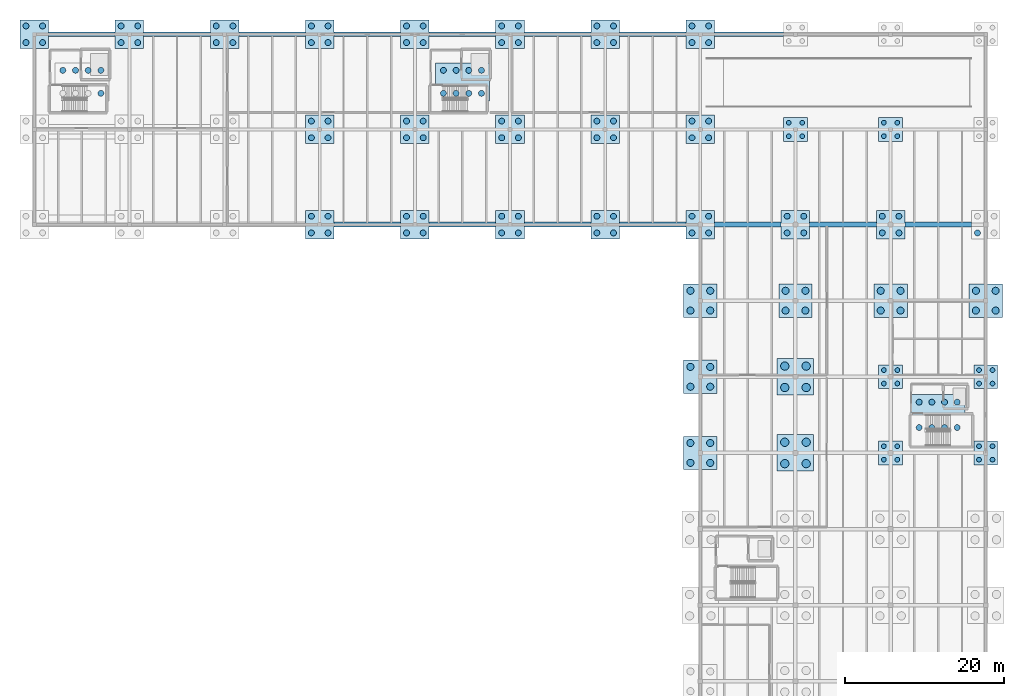
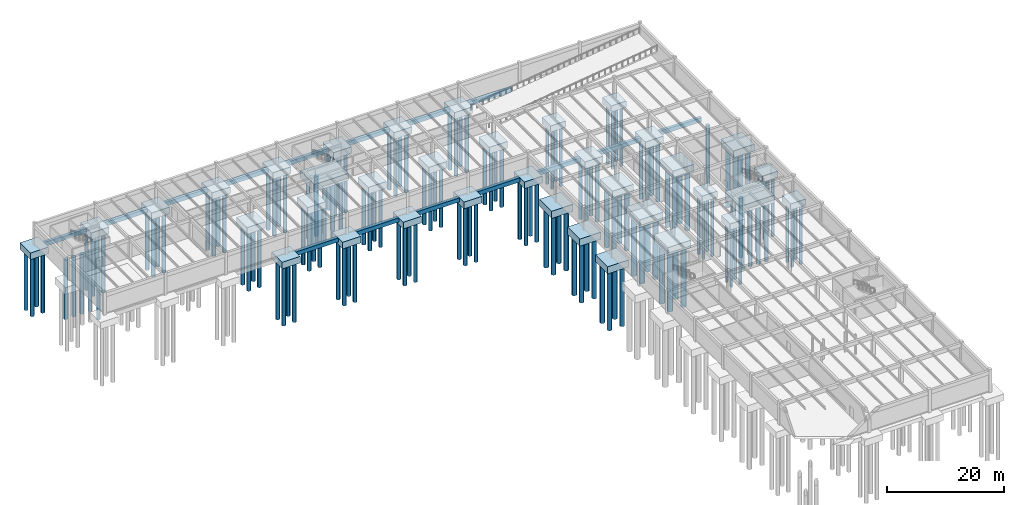
# One storey, part 2 of 20: 158 piles, 51 footings.
"""IFC4 building model written with IfcOpenShell, lengths in metres."""

from ifc_helpers import new_model, si_unit, direction, frame, origin, origin_2d, place, context, subcontext, project, spatial, rectangle, circle, extrude, material, material_profile, profile_set, type_object, element, save


model = new_model("IFC4")

# Units and contexts
model_context = context("Model", 3, precision=1e-05, world=origin(), true_north=direction((0.0, 1.0)))
body_context = subcontext(model_context, "Body", "Model", "MODEL_VIEW")
ifc_project = project(units=[si_unit("LENGTHUNIT", "METRE"), si_unit("AREAUNIT", "SQUARE_METRE"), si_unit("VOLUMEUNIT", "CUBIC_METRE"), si_unit("PLANEANGLEUNIT", "RADIAN"), si_unit("MASSUNIT", "GRAM", prefix="KILO")], contexts=[model_context])

# Site, building, storey
site_placement = place(None, origin())
site = spatial("IfcSite", under=ifc_project, at=site_placement, CompositionType="ELEMENT")
building_placement = place(site_placement, origin())
building = spatial("IfcBuilding", under=site, at=building_placement, Name="Pandanus Reach Market Hall", CompositionType="ELEMENT")
storey_placement = place(building_placement, frame((0.0, 0.0, -4.5)))
storey = spatial("IfcBuildingStorey", under=building, at=storey_placement, Name="B1", CompositionType="ELEMENT", Elevation=-4.5)

# Footings
ifc_material = material(Name="Concrete N40 (40 MPa)", Category="concrete")
footing_type_1 = type_object("IfcFootingType", Name="FB-02", PredefinedType="FOOTING_BEAM", material=ifc_material)
for number, where, z_axis, x_axis, name in (
    (1, (102.0, 96.0, -1.199951171875), (0.0, 0.0, 1.0), (1.0, 0.0, 0.0), "Ground tie beam FB-02 4"),
    (2, (114.0, 96.0, -1.199951171875), (0.0, 0.0, 1.0), (1.0, 0.0, 0.0), "Ground tie beam FB-02 5"),
    (3, (126.0, 96.0, -1.199951171875), (0.0, 0.0, 1.0), (1.0, 0.0, 0.0), "Ground tie beam FB-02 6"),
    (4, (138.0, 96.0, -1.199951171875), (0.0, 0.0, 1.0), (1.0, 0.0, 0.0), "Ground tie beam FB-02 7"),
    (5, (150.0, 96.0, -1.199951171875), (0.0, 0.0, 1.0), (1.0, 0.0, 0.0), "Ground tie beam FB-02 8"),
    (6, (162.0, 96.0, -1.199951171875), (0.0, 0.0, 1.0), (1.0, 0.0, 0.0), "Ground tie beam FB-02 9"),
    (7, (174.0, 96.0, -1.199951171875), (0.0, 0.0, 1.0), (1.0, 0.0, 0.0), "Ground tie beam FB-02 10"),
    (8, (66.0, 120.0, -1.199951171875), (0.0, 0.0, 1.0), (1.0, 0.0, 0.0), "Ground tie beam FB-02 11"),
    (9, (78.0, 120.0, -1.199951171875), (0.0, 0.0, 1.0), (1.0, 0.0, 0.0), "Ground tie beam FB-02 12"),
    (10, (90.0, 120.0, -1.199951171875), (0.0, 0.0, 1.0), (1.0, 0.0, 0.0), "Ground tie beam FB-02 13"),
    (11, (102.0, 120.0, -1.199951171875), (0.0, 0.0, 1.0), (1.0, 0.0, 0.0), "Ground tie beam FB-02 14"),
    (12, (114.0, 120.0, -1.199951171875), (0.0, 0.0, 1.0), (1.0, 0.0, 0.0), "Ground tie beam FB-02 15"),
    (13, (126.0, 120.0, -1.199951171875), (0.0, 0.0, 1.0), (1.0, 0.0, 0.0), "Ground tie beam FB-02 16"),
    (14, (138.0, 120.0, -1.199951171875), (0.0, 0.0, 1.0), (1.0, 0.0, 0.0), "Ground tie beam FB-02 17"),
):
    element("IfcFooting", number, at=place(storey_placement, frame(where, z_axis=z_axis, x_axis=x_axis)), inside=storey, type_object=footing_type_1, Name=name, PredefinedType="FOOTING_BEAM", context=body_context, shape_type="SweptSolid", body=[
        extrude(rectangle(XDim=8.39990234375, YDim=0.60009765625, at=origin_2d()), origin(), (0.0, 0.0, 1.0), 0.85009765625),
    ])
footing_1_placement = place(storey_placement, frame((150.14990234375, 120.0, -1.199951171875), z_axis=(0.0, 0.0, 1.0), x_axis=(1.0, 0.0, 0.0)))
element("IfcFooting", 15, at=footing_1_placement, inside=storey, type_object=footing_type_1, Name="Ground tie beam FB-02 18", PredefinedType="FOOTING_BEAM", context=body_context, shape_type="SweptSolid", body=[
    extrude(rectangle(XDim=8.699951171875, YDim=0.60009765625, at=origin_2d()), origin(), (0.0, 0.0, 1.0), 0.85009765625),
])
footing_type_2 = type_object("IfcFootingType", Name="PC-01", PredefinedType="PILE_CAP", material=ifc_material)
for number, where, z_axis, x_axis, name in (
    (16, (168.0, 67.199951171875, -1.64990234375), (0.0, 0.0, 1.0), (1.0, 0.0, 0.0), "Pile cap PC-01 at V4-168-672"),
    (17, (168.0, 76.800048828125, -1.64990234375), (0.0, 0.0, 1.0), (1.0, 0.0, 0.0), "Pile cap PC-01 at V4-168-768"),
    (18, (180.0, 67.199951171875, -1.64990234375), (0.0, 0.0, 1.0), (1.0, 0.0, 0.0), "Pile cap PC-01 at V4-180-672"),
    (19, (180.0, 76.800048828125, -1.64990234375), (0.0, 0.0, 1.0), (1.0, 0.0, 0.0), "Pile cap PC-01 at V4-180-768"),
    (20, (156.0, 108.0, -1.64990234375), (0.0, 0.0, 1.0), (1.0, 0.0, 0.0), "Pile cap PC-01 at V5-156-1080"),
    (21, (168.0, 108.0, -1.64990234375), (0.0, 0.0, 1.0), (1.0, 0.0, 0.0), "Pile cap PC-01 at V5-168-1080"),
):
    element("IfcFooting", number, at=place(storey_placement, frame(where, z_axis=z_axis, x_axis=x_axis)), inside=storey, type_object=footing_type_2, Name=name, PredefinedType="PILE_CAP", context=body_context, shape_type="SweptSolid", body=[
        extrude(rectangle(XDim=3.0, YDim=3.0, at=origin_2d()), origin(), (0.0, 0.0, 1.0), 1.300048828125),
    ])
footing_type_3 = type_object("IfcFootingType", Name="PC-02", PredefinedType="PILE_CAP", material=ifc_material)
for number, where, z_axis, x_axis, name in (
    (22, (144.0, 96.0, -1.75), (0.0, 0.0, 1.0), (1.0, 0.0, 0.0), "Pile cap PC-02 at V4-144-960"),
    (23, (156.0, 96.0, -1.75), (0.0, 0.0, 1.0), (1.0, 0.0, 0.0), "Pile cap PC-02 at V4-156-960"),
    (24, (168.0, 96.0, -1.75), (0.0, 0.0, 1.0), (1.0, 0.0, 0.0), "Pile cap PC-02 at V4-168-960"),
    (25, (60.0, 120.0, -1.75), (0.0, 0.0, 1.0), (1.0, 0.0, 0.0), "Pile cap PC-02 at V5-60-1200"),
    (26, (72.0, 120.0, -1.75), (0.0, 0.0, 1.0), (1.0, 0.0, 0.0), "Pile cap PC-02 at V5-72-1200"),
    (27, (84.0, 120.0, -1.75), (0.0, 0.0, 1.0), (1.0, 0.0, 0.0), "Pile cap PC-02 at V5-84-1200"),
    (28, (96.0, 96.0, -1.75), (0.0, 0.0, 1.0), (1.0, 0.0, 0.0), "Pile cap PC-02 at V5-96-960"),
    (29, (96.0, 108.0, -1.75), (0.0, 0.0, 1.0), (1.0, 0.0, 0.0), "Pile cap PC-02 at V5-96-1080"),
    (30, (96.0, 120.0, -1.75), (0.0, 0.0, 1.0), (1.0, 0.0, 0.0), "Pile cap PC-02 at V5-96-1200"),
    (31, (108.0, 96.0, -1.75), (0.0, 0.0, 1.0), (1.0, 0.0, 0.0), "Pile cap PC-02 at V5-108-960"),
    (32, (108.0, 108.0, -1.75), (0.0, 0.0, 1.0), (1.0, 0.0, 0.0), "Pile cap PC-02 at V5-108-1080"),
    (33, (108.0, 120.0, -1.75), (0.0, 0.0, 1.0), (1.0, 0.0, 0.0), "Pile cap PC-02 at V5-108-1200"),
    (34, (120.0, 96.0, -1.75), (0.0, 0.0, 1.0), (1.0, 0.0, 0.0), "Pile cap PC-02 at V5-120-960"),
    (35, (120.0, 108.0, -1.75), (0.0, 0.0, 1.0), (1.0, 0.0, 0.0), "Pile cap PC-02 at V5-120-1080"),
    (36, (120.0, 120.0, -1.75), (0.0, 0.0, 1.0), (1.0, 0.0, 0.0), "Pile cap PC-02 at V5-120-1200"),
    (37, (132.0, 96.0, -1.75), (0.0, 0.0, 1.0), (1.0, 0.0, 0.0), "Pile cap PC-02 at V5-132-960"),
    (38, (132.0, 108.0, -1.75), (0.0, 0.0, 1.0), (1.0, 0.0, 0.0), "Pile cap PC-02 at V5-132-1080"),
    (39, (132.0, 120.0, -1.75), (0.0, 0.0, 1.0), (1.0, 0.0, 0.0), "Pile cap PC-02 at V5-132-1200"),
    (40, (144.0, 108.0, -1.75), (0.0, 0.0, 1.0), (1.0, 0.0, 0.0), "Pile cap PC-02 at V5-144-1080"),
    (41, (144.0, 120.0, -1.75), (0.0, 0.0, 1.0), (1.0, 0.0, 0.0), "Pile cap PC-02 at V5-144-1200"),
):
    element("IfcFooting", number, at=place(storey_placement, frame(where, z_axis=z_axis, x_axis=x_axis)), inside=storey, type_object=footing_type_3, Name=name, PredefinedType="PILE_CAP", context=body_context, shape_type="SweptSolid", body=[
        extrude(rectangle(XDim=3.60009765625, YDim=3.60009765625, at=origin_2d()), origin(), (0.0, 0.0, 1.0), 1.39990234375),
    ])
footing_type_4 = type_object("IfcFootingType", Name="PC-03", PredefinedType="PILE_CAP", material=ifc_material)
for number, where, z_axis, x_axis, name in (
    (42, (144.0, 67.199951171875, -1.85009765625), (0.0, 0.0, 1.0), (1.0, 0.0, 0.0), "Pile cap PC-03 at V4-144-672"),
    (43, (144.0, 76.800048828125, -1.85009765625), (0.0, 0.0, 1.0), (1.0, 0.0, 0.0), "Pile cap PC-03 at V4-144-768"),
    (44, (144.0, 86.39990234375, -1.85009765625), (0.0, 0.0, 1.0), (1.0, 0.0, 0.0), "Pile cap PC-03 at V4-144-864"),
    (45, (156.0, 86.39990234375, -1.85009765625), (0.0, 0.0, 1.0), (1.0, 0.0, 0.0), "Pile cap PC-03 at V4-156-864"),
    (46, (168.0, 86.39990234375, -1.85009765625), (0.0, 0.0, 1.0), (1.0, 0.0, 0.0), "Pile cap PC-03 at V4-168-864"),
    (47, (180.0, 86.39990234375, -1.85009765625), (0.0, 0.0, 1.0), (1.0, 0.0, 0.0), "Pile cap PC-03 at V4-180-864"),
):
    element("IfcFooting", number, at=place(storey_placement, frame(where, z_axis=z_axis, x_axis=x_axis)), inside=storey, type_object=footing_type_4, Name=name, PredefinedType="PILE_CAP", context=body_context, shape_type="SweptSolid", body=[
        extrude(rectangle(XDim=4.199951171875, YDim=4.199951171875, at=origin_2d()), origin(), (0.0, 0.0, 1.0), 1.5),
    ])
footing_type_5 = type_object("IfcFootingType", Name="PC-04", PredefinedType="PILE_CAP", material=ifc_material)
for number, where, z_axis, x_axis, name in (
    (48, (156.0, 67.199951171875, -1.949951171875), (0.0, 0.0, 1.0), (1.0, 0.0, 0.0), "Pile cap PC-04 at V4-156-672"),
    (49, (156.0, 76.800048828125, -1.949951171875), (0.0, 0.0, 1.0), (1.0, 0.0, 0.0), "Pile cap PC-04 at V4-156-768"),
):
    element("IfcFooting", number, at=place(storey_placement, frame(where, z_axis=z_axis, x_axis=x_axis)), inside=storey, type_object=footing_type_5, Name=name, PredefinedType="PILE_CAP", context=body_context, shape_type="SweptSolid", body=[
        extrude(rectangle(XDim=4.60009765625, YDim=4.60009765625, at=origin_2d()), origin(), (0.0, 0.0, 1.0), 1.60009765625),
    ])
footing_type_6 = type_object("IfcFootingType", Name="PC-05", PredefinedType="PILE_CAP", material=ifc_material)
footing_2_placement = place(storey_placement, frame((174.0, 72.0, -1.949951171875), z_axis=(0.0, 0.0, 1.0), x_axis=(1.0, 0.0, 0.0)))
element("IfcFooting", 50, at=footing_2_placement, inside=storey, type_object=footing_type_6, Name="Core pile cap PC-05 C2", PredefinedType="PILE_CAP", context=body_context, shape_type="SweptSolid", body=[
    extrude(rectangle(XDim=6.800048828125, YDim=5.199951171875, at=origin_2d()), origin(), (0.0, 0.0, 1.0), 1.60009765625),
])
footing_type_7 = type_object("IfcFootingType", Name="PC-06", PredefinedType="PILE_CAP", material=ifc_material)
footing_3_placement = place(storey_placement, frame((114.0, 114.0, -1.85009765625), z_axis=(0.0, 0.0, 1.0), x_axis=(1.0, 0.0, 0.0)))
element("IfcFooting", 51, at=footing_3_placement, inside=storey, type_object=footing_type_7, Name="Core pile cap PC-06 C4", PredefinedType="PILE_CAP", context=body_context, shape_type="SweptSolid", body=[
    extrude(rectangle(XDim=6.800048828125, YDim=4.800048828125, at=origin_2d()), origin(), (0.0, 0.0, 1.0), 1.5),
])

# Piles
ifc_material_profile_1 = material_profile(ifc_material, circle(Radius=0.52490234375, at=origin_2d()), Name="PILE-1050D", Category="LoadBearing")
ifc_profile_set_1 = profile_set([ifc_material_profile_1], Name="Concrete N40 (40 MPa)")
pile_type_1 = type_object("IfcPileType", Name="PL-1050", PredefinedType="BORED", material=ifc_profile_set_1)
for number, where, z_axis, x_axis, name in (
    (52, (154.64990234375, 65.85009765625, -1.85009765625), (0.0, 0.0, -1.0), (1.0, 0.0, 0.0), "Bored pile PL-1050 V4-156-672.1"),
    (53, (154.64990234375, 68.550048828125, -1.85009765625), (0.0, 0.0, -1.0), (1.0, 0.0, 0.0), "Bored pile PL-1050 V4-156-672.2"),
    (54, (157.35009765625, 65.85009765625, -1.85009765625), (0.0, 0.0, -1.0), (1.0, 0.0, 0.0), "Bored pile PL-1050 V4-156-672.3"),
    (55, (157.35009765625, 68.550048828125, -1.85009765625), (0.0, 0.0, -1.0), (1.0, 0.0, 0.0), "Bored pile PL-1050 V4-156-672.4"),
    (56, (154.64990234375, 75.449951171875, -1.85009765625), (0.0, 0.0, -1.0), (1.0, 0.0, 0.0), "Bored pile PL-1050 V4-156-768.1"),
    (57, (154.64990234375, 78.14990234375, -1.85009765625), (0.0, 0.0, -1.0), (1.0, 0.0, 0.0), "Bored pile PL-1050 V4-156-768.2"),
    (58, (157.35009765625, 75.449951171875, -1.85009765625), (0.0, 0.0, -1.0), (1.0, 0.0, 0.0), "Bored pile PL-1050 V4-156-768.3"),
    (59, (157.35009765625, 78.14990234375, -1.85009765625), (0.0, 0.0, -1.0), (1.0, 0.0, 0.0), "Bored pile PL-1050 V4-156-768.4"),
):
    element("IfcPile", number, at=place(storey_placement, frame(where, z_axis=z_axis, x_axis=x_axis)), inside=storey, type_object=pile_type_1, Name=name, PredefinedType="BORED", context=body_context, shape_type="SweptSolid", body=[
        extrude(circle(Radius=0.52490234375, at=origin_2d()), origin(), (0.0, 0.0, 1.0), 12.5),
    ])
ifc_material_profile_2 = material_profile(ifc_material, circle(Radius=0.300048828125, at=origin_2d()), Name="PILE-600D", Category="LoadBearing")
ifc_profile_set_2 = profile_set([ifc_material_profile_2], Name="Concrete N40 (40 MPa)")
pile_type_2 = type_object("IfcPileType", Name="PL-600", PredefinedType="BORED", material=ifc_profile_set_2)
for number, where, z_axis, x_axis, name in (
    (60, (167.14990234375, 66.35009765625, -1.550048828125), (0.0, 0.0, -1.0), (1.0, 0.0, 0.0), "Bored pile PL-600 V4-168-672.1"),
    (61, (167.14990234375, 68.050048828125, -1.550048828125), (0.0, 0.0, -1.0), (1.0, 0.0, 0.0), "Bored pile PL-600 V4-168-672.2"),
    (62, (168.85009765625, 66.35009765625, -1.550048828125), (0.0, 0.0, -1.0), (1.0, 0.0, 0.0), "Bored pile PL-600 V4-168-672.3"),
    (63, (168.85009765625, 68.050048828125, -1.550048828125), (0.0, 0.0, -1.0), (1.0, 0.0, 0.0), "Bored pile PL-600 V4-168-672.4"),
    (64, (167.14990234375, 75.949951171875, -1.550048828125), (0.0, 0.0, -1.0), (1.0, 0.0, 0.0), "Bored pile PL-600 V4-168-768.1"),
    (65, (167.14990234375, 77.64990234375, -1.550048828125), (0.0, 0.0, -1.0), (1.0, 0.0, 0.0), "Bored pile PL-600 V4-168-768.2"),
    (66, (168.85009765625, 75.949951171875, -1.550048828125), (0.0, 0.0, -1.0), (1.0, 0.0, 0.0), "Bored pile PL-600 V4-168-768.3"),
    (67, (168.85009765625, 77.64990234375, -1.550048828125), (0.0, 0.0, -1.0), (1.0, 0.0, 0.0), "Bored pile PL-600 V4-168-768.4"),
    (68, (179.14990234375, 66.35009765625, -1.550048828125), (0.0, 0.0, -1.0), (1.0, 0.0, 0.0), "Bored pile PL-600 V4-180-672.1"),
    (69, (179.14990234375, 68.050048828125, -1.550048828125), (0.0, 0.0, -1.0), (1.0, 0.0, 0.0), "Bored pile PL-600 V4-180-672.2"),
    (70, (180.85009765625, 66.35009765625, -1.550048828125), (0.0, 0.0, -1.0), (1.0, 0.0, 0.0), "Bored pile PL-600 V4-180-672.3"),
    (71, (180.85009765625, 68.050048828125, -1.550048828125), (0.0, 0.0, -1.0), (1.0, 0.0, 0.0), "Bored pile PL-600 V4-180-672.4"),
    (72, (179.14990234375, 75.949951171875, -1.550048828125), (0.0, 0.0, -1.0), (1.0, 0.0, 0.0), "Bored pile PL-600 V4-180-768.1"),
    (73, (179.14990234375, 77.64990234375, -1.550048828125), (0.0, 0.0, -1.0), (1.0, 0.0, 0.0), "Bored pile PL-600 V4-180-768.2"),
    (74, (180.85009765625, 75.949951171875, -1.550048828125), (0.0, 0.0, -1.0), (1.0, 0.0, 0.0), "Bored pile PL-600 V4-180-768.3"),
    (75, (180.85009765625, 77.64990234375, -1.550048828125), (0.0, 0.0, -1.0), (1.0, 0.0, 0.0), "Bored pile PL-600 V4-180-768.4"),
    (76, (155.14990234375, 107.14990234375, -1.550048828125), (0.0, 0.0, -1.0), (1.0, 0.0, 0.0), "Bored pile PL-600 V5-156-1080.1"),
    (77, (155.14990234375, 108.85009765625, -1.550048828125), (0.0, 0.0, -1.0), (1.0, 0.0, 0.0), "Bored pile PL-600 V5-156-1080.2"),
    (78, (156.85009765625, 107.14990234375, -1.550048828125), (0.0, 0.0, -1.0), (1.0, 0.0, 0.0), "Bored pile PL-600 V5-156-1080.3"),
    (79, (156.85009765625, 108.85009765625, -1.550048828125), (0.0, 0.0, -1.0), (1.0, 0.0, 0.0), "Bored pile PL-600 V5-156-1080.4"),
    (80, (167.14990234375, 107.14990234375, -1.550048828125), (0.0, 0.0, -1.0), (1.0, 0.0, 0.0), "Bored pile PL-600 V5-168-1080.1"),
    (81, (167.14990234375, 108.85009765625, -1.550048828125), (0.0, 0.0, -1.0), (1.0, 0.0, 0.0), "Bored pile PL-600 V5-168-1080.2"),
    (82, (168.85009765625, 107.14990234375, -1.550048828125), (0.0, 0.0, -1.0), (1.0, 0.0, 0.0), "Bored pile PL-600 V5-168-1080.3"),
    (83, (168.85009765625, 108.85009765625, -1.550048828125), (0.0, 0.0, -1.0), (1.0, 0.0, 0.0), "Bored pile PL-600 V5-168-1080.4"),
):
    element("IfcPile", number, at=place(storey_placement, frame(where, z_axis=z_axis, x_axis=x_axis)), inside=storey, type_object=pile_type_2, Name=name, PredefinedType="BORED", context=body_context, shape_type="SweptSolid", body=[
        extrude(circle(Radius=0.300048828125, at=origin_2d()), origin(), (0.0, 0.0, 1.0), 12.5),
    ])
ifc_material_profile_3 = material_profile(ifc_material, circle(Radius=0.375, at=origin_2d()), Name="PILE-750D", Category="LoadBearing")
ifc_profile_set_3 = profile_set([ifc_material_profile_3], Name="Concrete N40 (40 MPa)")
pile_type_3 = type_object("IfcPileType", Name="PL-750", PredefinedType="BORED", material=ifc_profile_set_3)
for number, where, z_axis, x_axis, name in (
    (84, (142.949951171875, 94.949951171875, -1.64990234375), (0.0, 0.0, -1.0), (1.0, 0.0, 0.0), "Bored pile PL-750 V4-144-960.1"),
    (85, (142.949951171875, 97.050048828125, -1.64990234375), (0.0, 0.0, -1.0), (1.0, 0.0, 0.0), "Bored pile PL-750 V4-144-960.2"),
    (86, (145.050048828125, 94.949951171875, -1.64990234375), (0.0, 0.0, -1.0), (1.0, 0.0, 0.0), "Bored pile PL-750 V4-144-960.3"),
    (87, (145.050048828125, 97.050048828125, -1.64990234375), (0.0, 0.0, -1.0), (1.0, 0.0, 0.0), "Bored pile PL-750 V4-144-960.4"),
    (88, (154.949951171875, 94.949951171875, -1.64990234375), (0.0, 0.0, -1.0), (1.0, 0.0, 0.0), "Bored pile PL-750 V4-156-960.1"),
    (89, (154.949951171875, 97.050048828125, -1.64990234375), (0.0, 0.0, -1.0), (1.0, 0.0, 0.0), "Bored pile PL-750 V4-156-960.2"),
    (90, (157.050048828125, 94.949951171875, -1.64990234375), (0.0, 0.0, -1.0), (1.0, 0.0, 0.0), "Bored pile PL-750 V4-156-960.3"),
    (91, (157.050048828125, 97.050048828125, -1.64990234375), (0.0, 0.0, -1.0), (1.0, 0.0, 0.0), "Bored pile PL-750 V4-156-960.4"),
    (92, (166.949951171875, 94.949951171875, -1.64990234375), (0.0, 0.0, -1.0), (1.0, 0.0, 0.0), "Bored pile PL-750 V4-168-960.1"),
    (93, (166.949951171875, 97.050048828125, -1.64990234375), (0.0, 0.0, -1.0), (1.0, 0.0, 0.0), "Bored pile PL-750 V4-168-960.2"),
    (94, (169.050048828125, 94.949951171875, -1.64990234375), (0.0, 0.0, -1.0), (1.0, 0.0, 0.0), "Bored pile PL-750 V4-168-960.3"),
    (95, (169.050048828125, 97.050048828125, -1.64990234375), (0.0, 0.0, -1.0), (1.0, 0.0, 0.0), "Bored pile PL-750 V4-168-960.4"),
    (96, (178.949951171875, 94.949951171875, -1.64990234375), (0.0, 0.0, -1.0), (1.0, 0.0, 0.0), "Bored pile PL-750 V4-180-960.1"),
    (97, (58.949951171875, 118.949951171875, -1.64990234375), (0.0, 0.0, -1.0), (1.0, 0.0, 0.0), "Bored pile PL-750 V5-60-1200.1"),
    (98, (58.949951171875, 121.050048828125, -1.64990234375), (0.0, 0.0, -1.0), (1.0, 0.0, 0.0), "Bored pile PL-750 V5-60-1200.2"),
    (99, (61.050048828125, 118.949951171875, -1.64990234375), (0.0, 0.0, -1.0), (1.0, 0.0, 0.0), "Bored pile PL-750 V5-60-1200.3"),
    (100, (61.050048828125, 121.050048828125, -1.64990234375), (0.0, 0.0, -1.0), (1.0, 0.0, 0.0), "Bored pile PL-750 V5-60-1200.4"),
    (101, (70.949951171875, 118.949951171875, -1.64990234375), (0.0, 0.0, -1.0), (1.0, 0.0, 0.0), "Bored pile PL-750 V5-72-1200.1"),
    (102, (70.949951171875, 121.050048828125, -1.64990234375), (0.0, 0.0, -1.0), (1.0, 0.0, 0.0), "Bored pile PL-750 V5-72-1200.2"),
    (103, (73.050048828125, 118.949951171875, -1.64990234375), (0.0, 0.0, -1.0), (1.0, 0.0, 0.0), "Bored pile PL-750 V5-72-1200.3"),
    (104, (73.050048828125, 121.050048828125, -1.64990234375), (0.0, 0.0, -1.0), (1.0, 0.0, 0.0), "Bored pile PL-750 V5-72-1200.4"),
    (105, (82.949951171875, 118.949951171875, -1.64990234375), (0.0, 0.0, -1.0), (1.0, 0.0, 0.0), "Bored pile PL-750 V5-84-1200.1"),
    (106, (82.949951171875, 121.050048828125, -1.64990234375), (0.0, 0.0, -1.0), (1.0, 0.0, 0.0), "Bored pile PL-750 V5-84-1200.2"),
    (107, (85.050048828125, 118.949951171875, -1.64990234375), (0.0, 0.0, -1.0), (1.0, 0.0, 0.0), "Bored pile PL-750 V5-84-1200.3"),
    (108, (85.050048828125, 121.050048828125, -1.64990234375), (0.0, 0.0, -1.0), (1.0, 0.0, 0.0), "Bored pile PL-750 V5-84-1200.4"),
    (109, (94.949951171875, 94.949951171875, -1.64990234375), (0.0, 0.0, -1.0), (1.0, 0.0, 0.0), "Bored pile PL-750 V5-96-960.1"),
    (110, (94.949951171875, 97.050048828125, -1.64990234375), (0.0, 0.0, -1.0), (1.0, 0.0, 0.0), "Bored pile PL-750 V5-96-960.2"),
    (111, (97.050048828125, 94.949951171875, -1.64990234375), (0.0, 0.0, -1.0), (1.0, 0.0, 0.0), "Bored pile PL-750 V5-96-960.3"),
    (112, (97.050048828125, 97.050048828125, -1.64990234375), (0.0, 0.0, -1.0), (1.0, 0.0, 0.0), "Bored pile PL-750 V5-96-960.4"),
    (113, (94.949951171875, 106.949951171875, -1.64990234375), (0.0, 0.0, -1.0), (1.0, 0.0, 0.0), "Bored pile PL-750 V5-96-1080.1"),
    (114, (94.949951171875, 109.050048828125, -1.64990234375), (0.0, 0.0, -1.0), (1.0, 0.0, 0.0), "Bored pile PL-750 V5-96-1080.2"),
    (115, (97.050048828125, 106.949951171875, -1.64990234375), (0.0, 0.0, -1.0), (1.0, 0.0, 0.0), "Bored pile PL-750 V5-96-1080.3"),
    (116, (97.050048828125, 109.050048828125, -1.64990234375), (0.0, 0.0, -1.0), (1.0, 0.0, 0.0), "Bored pile PL-750 V5-96-1080.4"),
    (117, (94.949951171875, 118.949951171875, -1.64990234375), (0.0, 0.0, -1.0), (1.0, 0.0, 0.0), "Bored pile PL-750 V5-96-1200.1"),
    (118, (94.949951171875, 121.050048828125, -1.64990234375), (0.0, 0.0, -1.0), (1.0, 0.0, 0.0), "Bored pile PL-750 V5-96-1200.2"),
    (119, (97.050048828125, 118.949951171875, -1.64990234375), (0.0, 0.0, -1.0), (1.0, 0.0, 0.0), "Bored pile PL-750 V5-96-1200.3"),
    (120, (97.050048828125, 121.050048828125, -1.64990234375), (0.0, 0.0, -1.0), (1.0, 0.0, 0.0), "Bored pile PL-750 V5-96-1200.4"),
    (121, (106.949951171875, 94.949951171875, -1.64990234375), (0.0, 0.0, -1.0), (1.0, 0.0, 0.0), "Bored pile PL-750 V5-108-960.1"),
    (122, (106.949951171875, 97.050048828125, -1.64990234375), (0.0, 0.0, -1.0), (1.0, 0.0, 0.0), "Bored pile PL-750 V5-108-960.2"),
    (123, (109.050048828125, 94.949951171875, -1.64990234375), (0.0, 0.0, -1.0), (1.0, 0.0, 0.0), "Bored pile PL-750 V5-108-960.3"),
    (124, (109.050048828125, 97.050048828125, -1.64990234375), (0.0, 0.0, -1.0), (1.0, 0.0, 0.0), "Bored pile PL-750 V5-108-960.4"),
    (125, (106.949951171875, 106.949951171875, -1.64990234375), (0.0, 0.0, -1.0), (1.0, 0.0, 0.0), "Bored pile PL-750 V5-108-1080.1"),
    (126, (106.949951171875, 109.050048828125, -1.64990234375), (0.0, 0.0, -1.0), (1.0, 0.0, 0.0), "Bored pile PL-750 V5-108-1080.2"),
    (127, (109.050048828125, 106.949951171875, -1.64990234375), (0.0, 0.0, -1.0), (1.0, 0.0, 0.0), "Bored pile PL-750 V5-108-1080.3"),
    (128, (109.050048828125, 109.050048828125, -1.64990234375), (0.0, 0.0, -1.0), (1.0, 0.0, 0.0), "Bored pile PL-750 V5-108-1080.4"),
    (129, (106.949951171875, 118.949951171875, -1.64990234375), (0.0, 0.0, -1.0), (1.0, 0.0, 0.0), "Bored pile PL-750 V5-108-1200.1"),
    (130, (106.949951171875, 121.050048828125, -1.64990234375), (0.0, 0.0, -1.0), (1.0, 0.0, 0.0), "Bored pile PL-750 V5-108-1200.2"),
    (131, (109.050048828125, 118.949951171875, -1.64990234375), (0.0, 0.0, -1.0), (1.0, 0.0, 0.0), "Bored pile PL-750 V5-108-1200.3"),
    (132, (109.050048828125, 121.050048828125, -1.64990234375), (0.0, 0.0, -1.0), (1.0, 0.0, 0.0), "Bored pile PL-750 V5-108-1200.4"),
    (133, (118.949951171875, 94.949951171875, -1.64990234375), (0.0, 0.0, -1.0), (1.0, 0.0, 0.0), "Bored pile PL-750 V5-120-960.1"),
    (134, (118.949951171875, 97.050048828125, -1.64990234375), (0.0, 0.0, -1.0), (1.0, 0.0, 0.0), "Bored pile PL-750 V5-120-960.2"),
    (135, (121.050048828125, 94.949951171875, -1.64990234375), (0.0, 0.0, -1.0), (1.0, 0.0, 0.0), "Bored pile PL-750 V5-120-960.3"),
    (136, (121.050048828125, 97.050048828125, -1.64990234375), (0.0, 0.0, -1.0), (1.0, 0.0, 0.0), "Bored pile PL-750 V5-120-960.4"),
    (137, (118.949951171875, 106.949951171875, -1.64990234375), (0.0, 0.0, -1.0), (1.0, 0.0, 0.0), "Bored pile PL-750 V5-120-1080.1"),
    (138, (118.949951171875, 109.050048828125, -1.64990234375), (0.0, 0.0, -1.0), (1.0, 0.0, 0.0), "Bored pile PL-750 V5-120-1080.2"),
    (139, (121.050048828125, 106.949951171875, -1.64990234375), (0.0, 0.0, -1.0), (1.0, 0.0, 0.0), "Bored pile PL-750 V5-120-1080.3"),
    (140, (121.050048828125, 109.050048828125, -1.64990234375), (0.0, 0.0, -1.0), (1.0, 0.0, 0.0), "Bored pile PL-750 V5-120-1080.4"),
    (141, (118.949951171875, 118.949951171875, -1.64990234375), (0.0, 0.0, -1.0), (1.0, 0.0, 0.0), "Bored pile PL-750 V5-120-1200.1"),
    (142, (118.949951171875, 121.050048828125, -1.64990234375), (0.0, 0.0, -1.0), (1.0, 0.0, 0.0), "Bored pile PL-750 V5-120-1200.2"),
    (143, (121.050048828125, 118.949951171875, -1.64990234375), (0.0, 0.0, -1.0), (1.0, 0.0, 0.0), "Bored pile PL-750 V5-120-1200.3"),
    (144, (121.050048828125, 121.050048828125, -1.64990234375), (0.0, 0.0, -1.0), (1.0, 0.0, 0.0), "Bored pile PL-750 V5-120-1200.4"),
    (145, (130.949951171875, 94.949951171875, -1.64990234375), (0.0, 0.0, -1.0), (1.0, 0.0, 0.0), "Bored pile PL-750 V5-132-960.1"),
    (146, (130.949951171875, 97.050048828125, -1.64990234375), (0.0, 0.0, -1.0), (1.0, 0.0, 0.0), "Bored pile PL-750 V5-132-960.2"),
    (147, (133.050048828125, 94.949951171875, -1.64990234375), (0.0, 0.0, -1.0), (1.0, 0.0, 0.0), "Bored pile PL-750 V5-132-960.3"),
    (148, (133.050048828125, 97.050048828125, -1.64990234375), (0.0, 0.0, -1.0), (1.0, 0.0, 0.0), "Bored pile PL-750 V5-132-960.4"),
    (149, (130.949951171875, 106.949951171875, -1.64990234375), (0.0, 0.0, -1.0), (1.0, 0.0, 0.0), "Bored pile PL-750 V5-132-1080.1"),
    (150, (130.949951171875, 109.050048828125, -1.64990234375), (0.0, 0.0, -1.0), (1.0, 0.0, 0.0), "Bored pile PL-750 V5-132-1080.2"),
    (151, (133.050048828125, 106.949951171875, -1.64990234375), (0.0, 0.0, -1.0), (1.0, 0.0, 0.0), "Bored pile PL-750 V5-132-1080.3"),
    (152, (133.050048828125, 109.050048828125, -1.64990234375), (0.0, 0.0, -1.0), (1.0, 0.0, 0.0), "Bored pile PL-750 V5-132-1080.4"),
    (153, (130.949951171875, 118.949951171875, -1.64990234375), (0.0, 0.0, -1.0), (1.0, 0.0, 0.0), "Bored pile PL-750 V5-132-1200.1"),
    (154, (130.949951171875, 121.050048828125, -1.64990234375), (0.0, 0.0, -1.0), (1.0, 0.0, 0.0), "Bored pile PL-750 V5-132-1200.2"),
    (155, (133.050048828125, 118.949951171875, -1.64990234375), (0.0, 0.0, -1.0), (1.0, 0.0, 0.0), "Bored pile PL-750 V5-132-1200.3"),
    (156, (133.050048828125, 121.050048828125, -1.64990234375), (0.0, 0.0, -1.0), (1.0, 0.0, 0.0), "Bored pile PL-750 V5-132-1200.4"),
    (157, (142.949951171875, 106.949951171875, -1.64990234375), (0.0, 0.0, -1.0), (1.0, 0.0, 0.0), "Bored pile PL-750 V5-144-1080.1"),
    (158, (142.949951171875, 109.050048828125, -1.64990234375), (0.0, 0.0, -1.0), (1.0, 0.0, 0.0), "Bored pile PL-750 V5-144-1080.2"),
    (159, (145.050048828125, 106.949951171875, -1.64990234375), (0.0, 0.0, -1.0), (1.0, 0.0, 0.0), "Bored pile PL-750 V5-144-1080.3"),
    (160, (145.050048828125, 109.050048828125, -1.64990234375), (0.0, 0.0, -1.0), (1.0, 0.0, 0.0), "Bored pile PL-750 V5-144-1080.4"),
    (161, (142.949951171875, 118.949951171875, -1.64990234375), (0.0, 0.0, -1.0), (1.0, 0.0, 0.0), "Bored pile PL-750 V5-144-1200.1"),
    (162, (142.949951171875, 121.050048828125, -1.64990234375), (0.0, 0.0, -1.0), (1.0, 0.0, 0.0), "Bored pile PL-750 V5-144-1200.2"),
    (163, (145.050048828125, 118.949951171875, -1.64990234375), (0.0, 0.0, -1.0), (1.0, 0.0, 0.0), "Bored pile PL-750 V5-144-1200.3"),
    (164, (145.050048828125, 121.050048828125, -1.64990234375), (0.0, 0.0, -1.0), (1.0, 0.0, 0.0), "Bored pile PL-750 V5-144-1200.4"),
    (165, (171.60009765625, 70.39990234375, -1.85009765625), (0.0, 0.0, -1.0), (1.0, 0.0, 0.0), "Core bored pile PL-750 C2.1"),
    (166, (173.199951171875, 70.39990234375, -1.85009765625), (0.0, 0.0, -1.0), (1.0, 0.0, 0.0), "Core bored pile PL-750 C2.2"),
    (167, (174.800048828125, 70.39990234375, -1.85009765625), (0.0, 0.0, -1.0), (1.0, 0.0, 0.0), "Core bored pile PL-750 C2.3"),
    (168, (176.39990234375, 70.39990234375, -1.85009765625), (0.0, 0.0, -1.0), (1.0, 0.0, 0.0), "Core bored pile PL-750 C2.4"),
    (169, (171.60009765625, 73.60009765625, -1.85009765625), (0.0, 0.0, -1.0), (1.0, 0.0, 0.0), "Core bored pile PL-750 C2.5"),
    (170, (173.199951171875, 73.60009765625, -1.85009765625), (0.0, 0.0, -1.0), (1.0, 0.0, 0.0), "Core bored pile PL-750 C2.6"),
    (171, (174.800048828125, 73.60009765625, -1.85009765625), (0.0, 0.0, -1.0), (1.0, 0.0, 0.0), "Core bored pile PL-750 C2.7"),
    (172, (176.39990234375, 73.60009765625, -1.85009765625), (0.0, 0.0, -1.0), (1.0, 0.0, 0.0), "Core bored pile PL-750 C2.8"),
    (173, (68.39990234375, 112.550048828125, -1.75), (0.0, 0.0, -1.0), (1.0, 0.0, 0.0), "Core bored pile PL-750 C3.4"),
    (174, (63.60009765625, 115.449951171875, -1.75), (0.0, 0.0, -1.0), (1.0, 0.0, 0.0), "Core bored pile PL-750 C3.5"),
    (175, (65.199951171875, 115.449951171875, -1.75), (0.0, 0.0, -1.0), (1.0, 0.0, 0.0), "Core bored pile PL-750 C3.6"),
    (176, (66.800048828125, 115.449951171875, -1.75), (0.0, 0.0, -1.0), (1.0, 0.0, 0.0), "Core bored pile PL-750 C3.7"),
    (177, (68.39990234375, 115.449951171875, -1.75), (0.0, 0.0, -1.0), (1.0, 0.0, 0.0), "Core bored pile PL-750 C3.8"),
    (178, (111.60009765625, 112.550048828125, -1.75), (0.0, 0.0, -1.0), (1.0, 0.0, 0.0), "Core bored pile PL-750 C4.1"),
    (179, (113.199951171875, 112.550048828125, -1.75), (0.0, 0.0, -1.0), (1.0, 0.0, 0.0), "Core bored pile PL-750 C4.2"),
    (180, (114.800048828125, 112.550048828125, -1.75), (0.0, 0.0, -1.0), (1.0, 0.0, 0.0), "Core bored pile PL-750 C4.3"),
    (181, (116.39990234375, 112.550048828125, -1.75), (0.0, 0.0, -1.0), (1.0, 0.0, 0.0), "Core bored pile PL-750 C4.4"),
    (182, (111.60009765625, 115.449951171875, -1.75), (0.0, 0.0, -1.0), (1.0, 0.0, 0.0), "Core bored pile PL-750 C4.5"),
    (183, (113.199951171875, 115.449951171875, -1.75), (0.0, 0.0, -1.0), (1.0, 0.0, 0.0), "Core bored pile PL-750 C4.6"),
    (184, (114.800048828125, 115.449951171875, -1.75), (0.0, 0.0, -1.0), (1.0, 0.0, 0.0), "Core bored pile PL-750 C4.7"),
    (185, (116.39990234375, 115.449951171875, -1.75), (0.0, 0.0, -1.0), (1.0, 0.0, 0.0), "Core bored pile PL-750 C4.8"),
):
    element("IfcPile", number, at=place(storey_placement, frame(where, z_axis=z_axis, x_axis=x_axis)), inside=storey, type_object=pile_type_3, Name=name, PredefinedType="BORED", context=body_context, shape_type="SweptSolid", body=[
        extrude(circle(Radius=0.375, at=origin_2d()), origin(), (0.0, 0.0, 1.0), 12.5),
    ])
ifc_material_profile_4 = material_profile(ifc_material, circle(Radius=0.449951171875, at=origin_2d()), Name="PILE-900D", Category="LoadBearing")
ifc_profile_set_4 = profile_set([ifc_material_profile_4], Name="Concrete N40 (40 MPa)")
pile_type_4 = type_object("IfcPileType", Name="PL-900", PredefinedType="BORED", material=ifc_profile_set_4)
for number, where, z_axis, x_axis, name in (
    (186, (142.75, 65.949951171875, -1.75), (0.0, 0.0, -1.0), (1.0, 0.0, 0.0), "Bored pile PL-900 V4-144-672.1"),
    (187, (142.75, 68.449951171875, -1.75), (0.0, 0.0, -1.0), (1.0, 0.0, 0.0), "Bored pile PL-900 V4-144-672.2"),
    (188, (145.25, 65.949951171875, -1.75), (0.0, 0.0, -1.0), (1.0, 0.0, 0.0), "Bored pile PL-900 V4-144-672.3"),
    (189, (145.25, 68.449951171875, -1.75), (0.0, 0.0, -1.0), (1.0, 0.0, 0.0), "Bored pile PL-900 V4-144-672.4"),
    (190, (142.75, 75.550048828125, -1.75), (0.0, 0.0, -1.0), (1.0, 0.0, 0.0), "Bored pile PL-900 V4-144-768.1"),
    (191, (142.75, 78.050048828125, -1.75), (0.0, 0.0, -1.0), (1.0, 0.0, 0.0), "Bored pile PL-900 V4-144-768.2"),
    (192, (145.25, 75.550048828125, -1.75), (0.0, 0.0, -1.0), (1.0, 0.0, 0.0), "Bored pile PL-900 V4-144-768.3"),
    (193, (145.25, 78.050048828125, -1.75), (0.0, 0.0, -1.0), (1.0, 0.0, 0.0), "Bored pile PL-900 V4-144-768.4"),
    (194, (142.75, 85.14990234375, -1.75), (0.0, 0.0, -1.0), (1.0, 0.0, 0.0), "Bored pile PL-900 V4-144-864.1"),
    (195, (142.75, 87.64990234375, -1.75), (0.0, 0.0, -1.0), (1.0, 0.0, 0.0), "Bored pile PL-900 V4-144-864.2"),
    (196, (145.25, 85.14990234375, -1.75), (0.0, 0.0, -1.0), (1.0, 0.0, 0.0), "Bored pile PL-900 V4-144-864.3"),
    (197, (145.25, 87.64990234375, -1.75), (0.0, 0.0, -1.0), (1.0, 0.0, 0.0), "Bored pile PL-900 V4-144-864.4"),
    (198, (154.75, 85.14990234375, -1.75), (0.0, 0.0, -1.0), (1.0, 0.0, 0.0), "Bored pile PL-900 V4-156-864.1"),
    (199, (154.75, 87.64990234375, -1.75), (0.0, 0.0, -1.0), (1.0, 0.0, 0.0), "Bored pile PL-900 V4-156-864.2"),
    (200, (157.25, 85.14990234375, -1.75), (0.0, 0.0, -1.0), (1.0, 0.0, 0.0), "Bored pile PL-900 V4-156-864.3"),
    (201, (157.25, 87.64990234375, -1.75), (0.0, 0.0, -1.0), (1.0, 0.0, 0.0), "Bored pile PL-900 V4-156-864.4"),
    (202, (166.75, 85.14990234375, -1.75), (0.0, 0.0, -1.0), (1.0, 0.0, 0.0), "Bored pile PL-900 V4-168-864.1"),
    (203, (166.75, 87.64990234375, -1.75), (0.0, 0.0, -1.0), (1.0, 0.0, 0.0), "Bored pile PL-900 V4-168-864.2"),
    (204, (169.25, 85.14990234375, -1.75), (0.0, 0.0, -1.0), (1.0, 0.0, 0.0), "Bored pile PL-900 V4-168-864.3"),
    (205, (169.25, 87.64990234375, -1.75), (0.0, 0.0, -1.0), (1.0, 0.0, 0.0), "Bored pile PL-900 V4-168-864.4"),
    (206, (178.75, 85.14990234375, -1.75), (0.0, 0.0, -1.0), (1.0, 0.0, 0.0), "Bored pile PL-900 V4-180-864.1"),
    (207, (178.75, 87.64990234375, -1.75), (0.0, 0.0, -1.0), (1.0, 0.0, 0.0), "Bored pile PL-900 V4-180-864.2"),
    (208, (181.25, 85.14990234375, -1.75), (0.0, 0.0, -1.0), (1.0, 0.0, 0.0), "Bored pile PL-900 V4-180-864.3"),
    (209, (181.25, 87.64990234375, -1.75), (0.0, 0.0, -1.0), (1.0, 0.0, 0.0), "Bored pile PL-900 V4-180-864.4"),
):
    element("IfcPile", number, at=place(storey_placement, frame(where, z_axis=z_axis, x_axis=x_axis)), inside=storey, type_object=pile_type_4, Name=name, PredefinedType="BORED", context=body_context, shape_type="SweptSolid", body=[
        extrude(circle(Radius=0.449951171875, at=origin_2d()), origin(), (0.0, 0.0, 1.0), 12.5),
    ])

save(model, "model.ifc")
